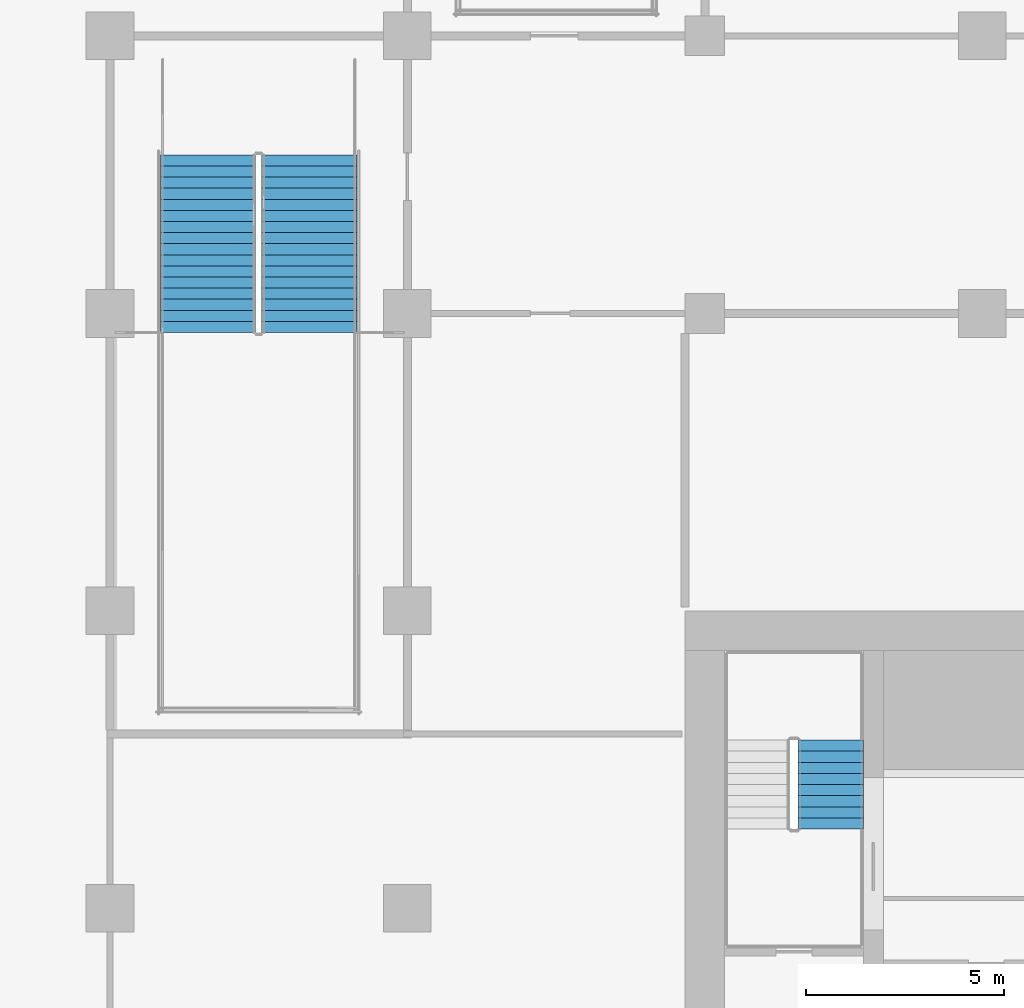
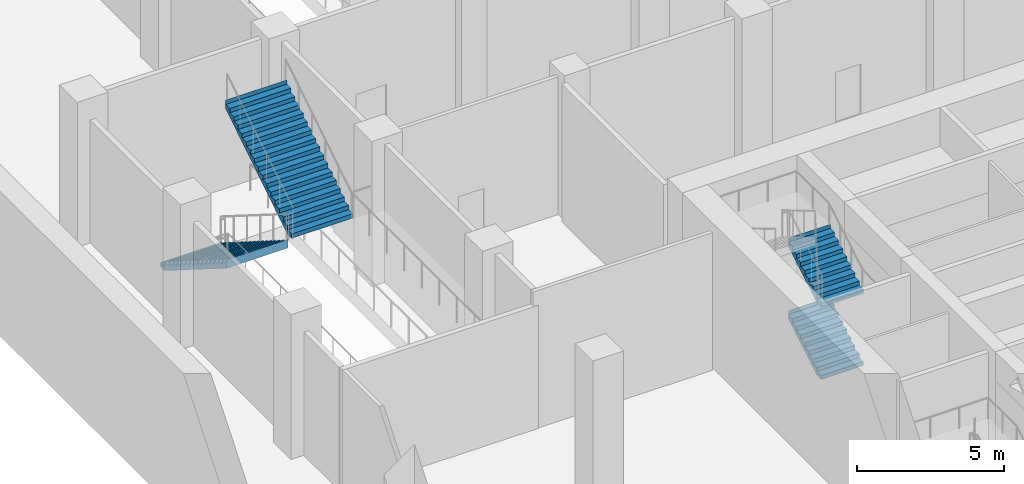
# One storey, part 22 of 45: 4 stair flights, 2 elements without a shape of their own.
"""IFC4 building model written with IfcOpenShell, lengths in metres."""

from ifc_helpers import new_model, si_unit, direction, frame, origin, place, context, subcontext, project, spatial, polyline, outline, extrude, material, type_object, element, aggregate, save


model = new_model("IFC4")

# Units and contexts
model_context = context("Model", 3, precision=1e-05, world=origin(), true_north=direction((0.0, 1.0)))
body_context = subcontext(model_context, "Body", "Model", "MODEL_VIEW")
ifc_project = project(units=[si_unit("LENGTHUNIT", "METRE"), si_unit("AREAUNIT", "SQUARE_METRE"), si_unit("VOLUMEUNIT", "CUBIC_METRE"), si_unit("PLANEANGLEUNIT", "RADIAN"), si_unit("MASSUNIT", "GRAM", prefix="KILO")], contexts=[model_context])

# Site, building, storey
site_placement = place(None, origin())
site = spatial("IfcSite", under=ifc_project, at=site_placement, CompositionType="ELEMENT")
building_placement = place(site_placement, origin())
building = spatial("IfcBuilding", under=site, at=building_placement, Name="Tamorin Gate", CompositionType="ELEMENT")
storey_placement = place(building_placement, frame((0.0, 0.0, -6.0)))
storey = spatial("IfcBuildingStorey", under=building, at=storey_placement, Name="B1", CompositionType="ELEMENT", Elevation=-6.0)

# Stair, stair flights
ifc_material_1 = material(Name="Concrete C40/50", Category="concrete")
stair_type_1 = type_object("IfcStairType", Name="Exit stair", PredefinedType="HALF_TURN_STAIR", material=ifc_material_1)
stair_1_placement = place(storey_placement, origin())
stair_1 = element("IfcStair", 1, at=stair_1_placement, inside=storey, type_object=stair_type_1, Name="B1 stair ST2", PredefinedType="HALF_TURN_STAIR")
stair_flight_type_1 = type_object("IfcStairFlightType", Name="Exit stair flight", PredefinedType="STRAIGHT", material=ifc_material_1)
stair_flight_1_placement = place(storey_placement, frame((33.675048828125, 77.0, 0.0), z_axis=(0.0, 0.0, 1.0), x_axis=(0.0, 1.0, 0.0)))
stair_flight_1 = element("IfcStairFlight", 2, at=stair_flight_1_placement, type_object=stair_flight_type_1, Name="ST2 flight 1", NumberOfRisers=9, NumberOfTreads=8, PredefinedType="STRAIGHT", RiserHeight=0.166666667, TreadLength=0.28, context=body_context, shape_type="SweptSolid", body=[
    extrude(outline(polyline([(-0.00048828125, 0.0), (-0.00048828125, 0.001708984375), (-0.00048828125, 0.00341796875), (-0.00048828125, 0.0048828125), (-0.00048828125, 0.006591796875), (-0.00048828125, 0.00830078125), (-0.00048828125, 0.010009765625), (-0.00048828125, 0.011474609375), (-0.00048828125, 0.01318359375), (-0.00048828125, 0.014892578125), (-0.00048828125, 0.0166015625), (-0.00048828125, 0.01806640625), (-0.00048828125, 0.019775390625), (-0.00048828125, 0.021484375), (-0.00048828125, 0.023193359375), (-0.00048828125, 0.024658203125), (-0.00048828125, 0.0263671875), (-0.00048828125, 0.028076171875), (-0.00048828125, 0.02978515625), (-0.00048828125, 0.03125), (-0.00048828125, 0.032958984375), (-0.00048828125, 0.03466796875), (-0.00048828125, 0.036376953125), (-0.00048828125, 0.037841796875), (-0.00048828125, 0.03955078125), (-0.00048828125, 0.041259765625), (-0.00048828125, 0.04296875), (-0.00048828125, 0.04443359375), (-0.00048828125, 0.046142578125), (-0.00048828125, 0.0478515625), (-0.00048828125, 0.049560546875), (-0.00048828125, 0.05126953125), (-0.00048828125, 0.052734375), (-0.00048828125, 0.054443359375), (-0.00048828125, 0.05615234375), (-0.00048828125, 0.057861328125), (-0.00048828125, 0.059326171875), (-0.00048828125, 0.06103515625), (-0.00048828125, 0.062744140625), (-0.00048828125, 0.064453125), (-0.00048828125, 0.06591796875), (-0.00048828125, 0.067626953125), (-0.00048828125, 0.0693359375), (-0.00048828125, 0.071044921875), (-0.00048828125, 0.072509765625), (-0.00048828125, 0.07421875), (-0.00048828125, 0.075927734375), (-0.00048828125, 0.07763671875), (-0.00048828125, 0.0791015625), (-0.00048828125, 0.080810546875), (-0.00048828125, 0.08251953125), (-0.00048828125, 0.084228515625), (-0.00048828125, 0.085693359375), (-0.00048828125, 0.08740234375), (-0.00048828125, 0.089111328125), (-0.00048828125, 0.0908203125), (-0.00048828125, 0.092529296875), (-0.00048828125, 0.093994140625), (-0.00048828125, 0.095703125), (-0.00048828125, 0.097412109375), (-0.00048828125, 0.09912109375), (-0.00048828125, 0.1005859375), (-0.00048828125, 0.102294921875), (-0.00048828125, 0.10400390625), (-0.00048828125, 0.105712890625), (-0.00048828125, 0.107177734375), (-0.00048828125, 0.10888671875), (-0.00048828125, 0.110595703125), (-0.00048828125, 0.1123046875), (-0.00048828125, 0.11376953125), (-0.00048828125, 0.115478515625), (-0.00048828125, 0.1171875), (-0.00048828125, 0.118896484375), (-0.00048828125, 0.120361328125), (-0.00048828125, 0.1220703125), (-0.00048828125, 0.123779296875), (-0.00048828125, 0.12548828125), (-0.00048828125, 0.126953125), (-0.00048828125, 0.128662109375), (-0.00048828125, 0.13037109375), (-0.00048828125, 0.132080078125), (-0.00048828125, 0.133544921875), (-0.00048828125, 0.13525390625), (-0.00048828125, 0.136962890625), (-0.00048828125, 0.138671875), (-0.00048828125, 0.140380859375), (-0.00048828125, 0.141845703125), (-0.00048828125, 0.1435546875), (-0.00048828125, 0.145263671875), (-0.00048828125, 0.14697265625), (-0.00048828125, 0.1484375), (-0.00048828125, 0.150146484375), (-0.00048828125, 0.15185546875), (-0.00048828125, 0.153564453125), (-0.00048828125, 0.155029296875), (-0.00048828125, 0.15673828125), (-0.00048828125, 0.158447265625), (-0.00048828125, 0.16015625), (-0.00048828125, 0.16162109375), (-0.00048828125, 0.163330078125), (-0.00048828125, 0.1650390625), (-0.00048828125, 0.166748046875), (0.280029296875, 0.166748046875), (0.280029296875, 0.333251953125), (0.56005859375, 0.333251953125), (0.56005859375, 0.5), (0.840087890625, 0.5), (0.840087890625, 0.666748046875), (1.1201171875, 0.666748046875), (1.1201171875, 0.833251953125), (1.39990234375, 0.833251953125), (1.39990234375, 1.0), (1.679931640625, 1.0), (1.679931640625, 1.166748046875), (1.9599609375, 1.166748046875), (1.9599609375, 1.333251953125), (2.239990234375, 1.333251953125), (2.239990234375, 1.5), (2.240478515625, 1.5), (2.240478515625, 1.49658203125), (2.240478515625, 1.4931640625), (2.240478515625, 1.48974609375), (2.240478515625, 1.486572265625), (2.240478515625, 1.483154296875), (2.240478515625, 1.479736328125), (2.240478515625, 1.476318359375), (2.240478515625, 1.472900390625), (2.240478515625, 1.469482421875), (2.240478515625, 1.46630859375), (2.240478515625, 1.462890625), (2.240478515625, 1.45947265625), (2.240478515625, 1.4560546875), (2.240478515625, 1.45263671875), (2.240478515625, 1.44921875), (2.240478515625, 1.446044921875), (2.240478515625, 1.442626953125), (2.240478515625, 1.439208984375), (2.240478515625, 1.435791015625), (2.240478515625, 1.432373046875), (2.240478515625, 1.428955078125), (2.240478515625, 1.42578125), (2.240478515625, 1.42236328125), (2.240478515625, 1.4189453125), (2.240478515625, 1.41552734375), (2.240478515625, 1.412109375), (2.240478515625, 1.40869140625), (2.240478515625, 1.405517578125), (2.240478515625, 1.402099609375), (2.240478515625, 1.398681640625), (2.240478515625, 1.395263671875), (2.240478515625, 1.391845703125), (2.240478515625, 1.388427734375), (2.240478515625, 1.38525390625), (2.240478515625, 1.3818359375), (2.240478515625, 1.37841796875), (2.240478515625, 1.375), (2.240478515625, 1.37158203125), (2.240478515625, 1.3681640625), (2.240478515625, 1.364990234375), (2.240478515625, 1.361572265625), (2.240478515625, 1.358154296875), (2.240478515625, 1.354736328125), (2.240478515625, 1.351318359375), (2.240478515625, 1.347900390625), (2.240478515625, 1.3447265625), (2.240478515625, 1.34130859375), (2.240478515625, 1.337890625), (2.240478515625, 1.33447265625), (2.240478515625, 1.3310546875), (2.240478515625, 1.32763671875), (2.240478515625, 1.324462890625), (2.240478515625, 1.321044921875), (2.240478515625, 1.317626953125), (2.240478515625, 1.314208984375), (2.240478515625, 1.310791015625), (2.240478515625, 1.307373046875), (2.240478515625, 1.30419921875), (2.240478515625, 1.30078125), (2.240478515625, 1.29736328125), (2.240478515625, 1.2939453125), (2.240478515625, 1.29052734375), (2.240478515625, 1.287109375), (2.240478515625, 1.283935546875), (2.240478515625, 1.280517578125), (2.240478515625, 1.277099609375), (2.240478515625, 1.273681640625), (2.240478515625, 1.270263671875), (2.240478515625, 1.266845703125), (2.240478515625, 1.263671875), (2.240478515625, 1.26025390625), (2.240478515625, 1.2568359375), (2.240478515625, 1.25341796875), (2.240478515625, 1.25), (2.240478515625, 1.24658203125), (2.240478515625, 1.243408203125), (2.240478515625, 1.239990234375), (2.240478515625, 1.236572265625), (2.240478515625, 1.233154296875), (2.240478515625, 1.229736328125), (2.240478515625, 1.226318359375), (2.240478515625, 1.22314453125), (2.240478515625, 1.2197265625), (2.240478515625, 1.21630859375), (2.240478515625, 1.212890625), (2.240478515625, 1.20947265625), (2.240478515625, 1.2060546875), (2.240478515625, 1.202880859375), (2.240478515625, 1.199462890625), (2.240478515625, 1.196044921875), (2.240478515625, 1.192626953125), (2.240478515625, 1.189208984375), (2.240478515625, 1.185791015625), (2.240478515625, 1.1826171875), (2.240478515625, 1.17919921875), (2.240478515625, 1.17578125), (2.240478515625, 1.17236328125), (2.240478515625, 1.1689453125), (2.240478515625, 1.16552734375), (2.240478515625, 1.162353515625), (2.240478515625, 1.158935546875), (2.239990234375, 1.158935546875), (0.29296875, 0.0), (-0.00048828125, 0.0)])), frame((0.0, 0.824951171875, 0.0), z_axis=(0.0, -1.0, 0.0), x_axis=(1.0, 0.0, 0.0)), (0.0, 0.0, 1.0), 1.64990234375),
])
stair_flight_2_placement = place(storey_placement, frame((33.675048828125, 77.0, 3.0), z_axis=(0.0, 0.0, 1.0), x_axis=(0.0, 1.0, 0.0)))
stair_flight_2 = element("IfcStairFlight", 3, at=stair_flight_2_placement, type_object=stair_flight_type_1, Name="ST2 flight 3", NumberOfRisers=9, NumberOfTreads=8, PredefinedType="STRAIGHT", RiserHeight=0.166666667, TreadLength=0.28, context=body_context, shape_type="SweptSolid", body=[
    extrude(outline(polyline([(-0.00048828125, 0.0), (-0.00048828125, 0.001708984375), (-0.00048828125, 0.00341796875), (-0.00048828125, 0.0048828125), (-0.00048828125, 0.006591796875), (-0.00048828125, 0.00830078125), (-0.00048828125, 0.010009765625), (-0.00048828125, 0.011474609375), (-0.00048828125, 0.01318359375), (-0.00048828125, 0.014892578125), (-0.00048828125, 0.0166015625), (-0.00048828125, 0.01806640625), (-0.00048828125, 0.019775390625), (-0.00048828125, 0.021484375), (-0.00048828125, 0.023193359375), (-0.00048828125, 0.024658203125), (-0.00048828125, 0.0263671875), (-0.00048828125, 0.028076171875), (-0.00048828125, 0.02978515625), (-0.00048828125, 0.03125), (-0.00048828125, 0.032958984375), (-0.00048828125, 0.03466796875), (-0.00048828125, 0.036376953125), (-0.00048828125, 0.037841796875), (-0.00048828125, 0.03955078125), (-0.00048828125, 0.041259765625), (-0.00048828125, 0.04296875), (-0.00048828125, 0.04443359375), (-0.00048828125, 0.046142578125), (-0.00048828125, 0.0478515625), (-0.00048828125, 0.049560546875), (-0.00048828125, 0.05126953125), (-0.00048828125, 0.052734375), (-0.00048828125, 0.054443359375), (-0.00048828125, 0.05615234375), (-0.00048828125, 0.057861328125), (-0.00048828125, 0.059326171875), (-0.00048828125, 0.06103515625), (-0.00048828125, 0.062744140625), (-0.00048828125, 0.064453125), (-0.00048828125, 0.06591796875), (-0.00048828125, 0.067626953125), (-0.00048828125, 0.0693359375), (-0.00048828125, 0.071044921875), (-0.00048828125, 0.072509765625), (-0.00048828125, 0.07421875), (-0.00048828125, 0.075927734375), (-0.00048828125, 0.07763671875), (-0.00048828125, 0.0791015625), (-0.00048828125, 0.080810546875), (-0.00048828125, 0.08251953125), (-0.00048828125, 0.084228515625), (-0.00048828125, 0.085693359375), (-0.00048828125, 0.08740234375), (-0.00048828125, 0.089111328125), (-0.00048828125, 0.0908203125), (-0.00048828125, 0.092529296875), (-0.00048828125, 0.093994140625), (-0.00048828125, 0.095703125), (-0.00048828125, 0.097412109375), (-0.00048828125, 0.09912109375), (-0.00048828125, 0.1005859375), (-0.00048828125, 0.102294921875), (-0.00048828125, 0.10400390625), (-0.00048828125, 0.105712890625), (-0.00048828125, 0.107177734375), (-0.00048828125, 0.10888671875), (-0.00048828125, 0.110595703125), (-0.00048828125, 0.1123046875), (-0.00048828125, 0.11376953125), (-0.00048828125, 0.115478515625), (-0.00048828125, 0.1171875), (-0.00048828125, 0.118896484375), (-0.00048828125, 0.120361328125), (-0.00048828125, 0.1220703125), (-0.00048828125, 0.123779296875), (-0.00048828125, 0.12548828125), (-0.00048828125, 0.126953125), (-0.00048828125, 0.128662109375), (-0.00048828125, 0.13037109375), (-0.00048828125, 0.132080078125), (-0.00048828125, 0.133544921875), (-0.00048828125, 0.13525390625), (-0.00048828125, 0.136962890625), (-0.00048828125, 0.138671875), (-0.00048828125, 0.140380859375), (-0.00048828125, 0.141845703125), (-0.00048828125, 0.1435546875), (-0.00048828125, 0.145263671875), (-0.00048828125, 0.14697265625), (-0.00048828125, 0.1484375), (-0.00048828125, 0.150146484375), (-0.00048828125, 0.15185546875), (-0.00048828125, 0.153564453125), (-0.00048828125, 0.155029296875), (-0.00048828125, 0.15673828125), (-0.00048828125, 0.158447265625), (-0.00048828125, 0.16015625), (-0.00048828125, 0.16162109375), (-0.00048828125, 0.163330078125), (-0.00048828125, 0.1650390625), (-0.00048828125, 0.166748046875), (0.280029296875, 0.166748046875), (0.280029296875, 0.333251953125), (0.56005859375, 0.333251953125), (0.56005859375, 0.5), (0.840087890625, 0.5), (0.840087890625, 0.666748046875), (1.1201171875, 0.666748046875), (1.1201171875, 0.833251953125), (1.39990234375, 0.833251953125), (1.39990234375, 1.0), (1.679931640625, 1.0), (1.679931640625, 1.166748046875), (1.9599609375, 1.166748046875), (1.9599609375, 1.333251953125), (2.239990234375, 1.333251953125), (2.239990234375, 1.5), (2.240478515625, 1.5), (2.240478515625, 1.49658203125), (2.240478515625, 1.4931640625), (2.240478515625, 1.48974609375), (2.240478515625, 1.486572265625), (2.240478515625, 1.483154296875), (2.240478515625, 1.479736328125), (2.240478515625, 1.476318359375), (2.240478515625, 1.472900390625), (2.240478515625, 1.469482421875), (2.240478515625, 1.46630859375), (2.240478515625, 1.462890625), (2.240478515625, 1.45947265625), (2.240478515625, 1.4560546875), (2.240478515625, 1.45263671875), (2.240478515625, 1.44921875), (2.240478515625, 1.446044921875), (2.240478515625, 1.442626953125), (2.240478515625, 1.439208984375), (2.240478515625, 1.435791015625), (2.240478515625, 1.432373046875), (2.240478515625, 1.428955078125), (2.240478515625, 1.42578125), (2.240478515625, 1.42236328125), (2.240478515625, 1.4189453125), (2.240478515625, 1.41552734375), (2.240478515625, 1.412109375), (2.240478515625, 1.40869140625), (2.240478515625, 1.405517578125), (2.240478515625, 1.402099609375), (2.240478515625, 1.398681640625), (2.240478515625, 1.395263671875), (2.240478515625, 1.391845703125), (2.240478515625, 1.388427734375), (2.240478515625, 1.38525390625), (2.240478515625, 1.3818359375), (2.240478515625, 1.37841796875), (2.240478515625, 1.375), (2.240478515625, 1.37158203125), (2.240478515625, 1.3681640625), (2.240478515625, 1.364990234375), (2.240478515625, 1.361572265625), (2.240478515625, 1.358154296875), (2.240478515625, 1.354736328125), (2.240478515625, 1.351318359375), (2.240478515625, 1.347900390625), (2.240478515625, 1.3447265625), (2.240478515625, 1.34130859375), (2.240478515625, 1.337890625), (2.240478515625, 1.33447265625), (2.240478515625, 1.3310546875), (2.240478515625, 1.32763671875), (2.240478515625, 1.324462890625), (2.240478515625, 1.321044921875), (2.240478515625, 1.317626953125), (2.240478515625, 1.314208984375), (2.240478515625, 1.310791015625), (2.240478515625, 1.307373046875), (2.240478515625, 1.30419921875), (2.240478515625, 1.30078125), (2.240478515625, 1.29736328125), (2.240478515625, 1.2939453125), (2.240478515625, 1.29052734375), (2.240478515625, 1.287109375), (2.240478515625, 1.283935546875), (2.240478515625, 1.280517578125), (2.240478515625, 1.277099609375), (2.240478515625, 1.273681640625), (2.240478515625, 1.270263671875), (2.240478515625, 1.266845703125), (2.240478515625, 1.263671875), (2.240478515625, 1.26025390625), (2.240478515625, 1.2568359375), (2.240478515625, 1.25341796875), (2.240478515625, 1.25), (2.240478515625, 1.24658203125), (2.240478515625, 1.243408203125), (2.240478515625, 1.239990234375), (2.240478515625, 1.236572265625), (2.240478515625, 1.233154296875), (2.240478515625, 1.229736328125), (2.240478515625, 1.226318359375), (2.240478515625, 1.22314453125), (2.240478515625, 1.2197265625), (2.240478515625, 1.21630859375), (2.240478515625, 1.212890625), (2.240478515625, 1.20947265625), (2.240478515625, 1.2060546875), (2.240478515625, 1.202880859375), (2.240478515625, 1.199462890625), (2.240478515625, 1.196044921875), (2.240478515625, 1.192626953125), (2.240478515625, 1.189208984375), (2.240478515625, 1.185791015625), (2.240478515625, 1.1826171875), (2.240478515625, 1.17919921875), (2.240478515625, 1.17578125), (2.240478515625, 1.17236328125), (2.240478515625, 1.1689453125), (2.240478515625, 1.16552734375), (2.240478515625, 1.162353515625), (2.240478515625, 1.158935546875), (2.239990234375, 1.158935546875), (0.29296875, 0.0), (-0.00048828125, 0.0)])), frame((0.0, 0.824951171875, 0.0), z_axis=(0.0, -1.0, 0.0), x_axis=(1.0, 0.0, 0.0)), (0.0, 0.0, 1.0), 1.64990234375),
])
aggregate(stair_1, [stair_flight_1, stair_flight_2])

ifc_material_2 = material(Name="Reinforced concrete C32/40", Category="concrete")
stair_type_2 = type_object("IfcStairType", Name="Basement stair SB", PredefinedType="HALF_TURN_STAIR", material=ifc_material_2)
stair_2_placement = place(storey_placement, origin())
stair_2 = element("IfcStair", 4, at=stair_2_placement, inside=storey, type_object=stair_type_2, Name="B1 Basement stair SB1", PredefinedType="HALF_TURN_STAIR")
stair_flight_type_2 = type_object("IfcStairFlightType", Name="Stair flight 2400", PredefinedType="STRAIGHT", material=ifc_material_2)
stair_flight_3_placement = place(storey_placement, frame((17.97509765625, 94.0, 0.0), z_axis=(0.0, 0.0, 1.0), x_axis=(0.0, -1.0, 0.0)))
stair_flight_3 = element("IfcStairFlight", 5, at=stair_flight_3_placement, type_object=stair_flight_type_2, Name="SB1 flight 1", NumberOfRisers=17, NumberOfTreads=16, PredefinedType="STRAIGHT", RiserHeight=0.176470588, TreadLength=0.28, context=body_context, shape_type="SweptSolid", body=[
    extrude(outline(polyline([(-0.00048828125, 0.0), (-0.00048828125, 0.001708984375), (-0.00048828125, 0.00341796875), (-0.00048828125, 0.005126953125), (-0.00048828125, 0.007080078125), (-0.00048828125, 0.0087890625), (-0.00048828125, 0.010498046875), (-0.00048828125, 0.01220703125), (-0.00048828125, 0.013916015625), (-0.00048828125, 0.015625), (-0.00048828125, 0.017578125), (-0.00048828125, 0.019287109375), (-0.00048828125, 0.02099609375), (-0.00048828125, 0.022705078125), (-0.00048828125, 0.0244140625), (-0.00048828125, 0.026123046875), (-0.00048828125, 0.028076171875), (-0.00048828125, 0.02978515625), (-0.00048828125, 0.031494140625), (-0.00048828125, 0.033203125), (-0.00048828125, 0.034912109375), (-0.00048828125, 0.03662109375), (-0.00048828125, 0.038330078125), (-0.00048828125, 0.040283203125), (-0.00048828125, 0.0419921875), (-0.00048828125, 0.043701171875), (-0.00048828125, 0.04541015625), (-0.00048828125, 0.047119140625), (-0.00048828125, 0.048828125), (-0.00048828125, 0.05078125), (-0.00048828125, 0.052490234375), (-0.00048828125, 0.05419921875), (-0.00048828125, 0.055908203125), (-0.00048828125, 0.0576171875), (-0.00048828125, 0.059326171875), (-0.00048828125, 0.06103515625), (-0.00048828125, 0.06298828125), (-0.00048828125, 0.064697265625), (-0.00048828125, 0.06640625), (-0.00048828125, 0.068115234375), (-0.00048828125, 0.06982421875), (-0.00048828125, 0.071533203125), (-0.00048828125, 0.073486328125), (-0.00048828125, 0.0751953125), (-0.00048828125, 0.076904296875), (-0.00048828125, 0.07861328125), (-0.00048828125, 0.080322265625), (-0.00048828125, 0.08203125), (-0.00048828125, 0.083984375), (-0.00048828125, 0.085693359375), (-0.00048828125, 0.08740234375), (-0.00048828125, 0.089111328125), (-0.00048828125, 0.0908203125), (-0.00048828125, 0.092529296875), (-0.00048828125, 0.09423828125), (-0.00048828125, 0.09619140625), (-0.00048828125, 0.097900390625), (-0.00048828125, 0.099609375), (-0.00048828125, 0.101318359375), (-0.00048828125, 0.10302734375), (-0.00048828125, 0.104736328125), (-0.00048828125, 0.106689453125), (-0.00048828125, 0.1083984375), (-0.00048828125, 0.110107421875), (-0.00048828125, 0.11181640625), (-0.00048828125, 0.113525390625), (-0.00048828125, 0.115234375), (-0.00048828125, 0.116943359375), (-0.00048828125, 0.118896484375), (-0.00048828125, 0.12060546875), (-0.00048828125, 0.122314453125), (-0.00048828125, 0.1240234375), (-0.00048828125, 0.125732421875), (-0.00048828125, 0.12744140625), (-0.00048828125, 0.12939453125), (-0.00048828125, 0.131103515625), (-0.00048828125, 0.1328125), (-0.00048828125, 0.134521484375), (-0.00048828125, 0.13623046875), (-0.00048828125, 0.137939453125), (-0.00048828125, 0.139892578125), (-0.00048828125, 0.1416015625), (-0.00048828125, 0.143310546875), (-0.00048828125, 0.14501953125), (-0.00048828125, 0.146728515625), (-0.00048828125, 0.1484375), (-0.00048828125, 0.150146484375), (-0.00048828125, 0.152099609375), (-0.00048828125, 0.15380859375), (-0.00048828125, 0.155517578125), (-0.00048828125, 0.1572265625), (-0.00048828125, 0.158935546875), (-0.00048828125, 0.16064453125), (-0.00048828125, 0.16259765625), (-0.00048828125, 0.164306640625), (-0.00048828125, 0.166015625), (-0.00048828125, 0.167724609375), (-0.00048828125, 0.16943359375), (-0.00048828125, 0.171142578125), (-0.00048828125, 0.173095703125), (-0.00048828125, 0.1748046875), (-0.00048828125, 0.176513671875), (0.280029296875, 0.176513671875), (0.280029296875, 0.35302734375), (0.56005859375, 0.35302734375), (0.56005859375, 0.529296875), (0.840087890625, 0.529296875), (0.840087890625, 0.705810546875), (1.1201171875, 0.705810546875), (1.1201171875, 0.88232421875), (1.39990234375, 0.88232421875), (1.39990234375, 1.058837890625), (1.679931640625, 1.058837890625), (1.679931640625, 1.2353515625), (1.9599609375, 1.2353515625), (1.9599609375, 1.411865234375), (2.239990234375, 1.411865234375), (2.239990234375, 1.588134765625), (2.52001953125, 1.588134765625), (2.52001953125, 1.7646484375), (2.800048828125, 1.7646484375), (2.800048828125, 1.941162109375), (3.080078125, 1.941162109375), (3.080078125, 2.11767578125), (3.360107421875, 2.11767578125), (3.360107421875, 2.294189453125), (3.639892578125, 2.294189453125), (3.639892578125, 2.470703125), (3.919921875, 2.470703125), (3.919921875, 2.64697265625), (4.199951171875, 2.64697265625), (4.199951171875, 2.823486328125), (4.47998046875, 2.823486328125), (4.47998046875, 3.0), (4.48046875, 3.0), (4.48046875, 2.99658203125), (4.48046875, 2.992919921875), (4.48046875, 2.989501953125), (4.48046875, 2.986083984375), (4.48046875, 2.982421875), (4.48046875, 2.97900390625), (4.48046875, 2.9755859375), (4.48046875, 2.971923828125), (4.48046875, 2.968505859375), (4.48046875, 2.965087890625), (4.48046875, 2.96142578125), (4.48046875, 2.9580078125), (4.48046875, 2.95458984375), (4.48046875, 2.950927734375), (4.48046875, 2.947509765625), (4.48046875, 2.944091796875), (4.48046875, 2.9404296875), (4.48046875, 2.93701171875), (4.48046875, 2.933349609375), (4.48046875, 2.929931640625), (4.48046875, 2.926513671875), (4.48046875, 2.9228515625), (4.48046875, 2.91943359375), (4.48046875, 2.916015625), (4.48046875, 2.912353515625), (4.48046875, 2.908935546875), (4.48046875, 2.905517578125), (4.48046875, 2.90185546875), (4.48046875, 2.8984375), (4.48046875, 2.89501953125), (4.48046875, 2.891357421875), (4.48046875, 2.887939453125), (4.48046875, 2.884521484375), (4.48046875, 2.880859375), (4.48046875, 2.87744140625), (4.48046875, 2.8740234375), (4.48046875, 2.870361328125), (4.48046875, 2.866943359375), (4.48046875, 2.863525390625), (4.48046875, 2.85986328125), (4.48046875, 2.8564453125), (4.48046875, 2.85302734375), (4.48046875, 2.849365234375), (4.48046875, 2.845947265625), (4.48046875, 2.842529296875), (4.48046875, 2.8388671875), (4.48046875, 2.83544921875), (4.48046875, 2.83203125), (4.48046875, 2.828369140625), (4.48046875, 2.824951171875), (4.48046875, 2.821533203125), (4.48046875, 2.81787109375), (4.48046875, 2.814453125), (4.48046875, 2.81103515625), (4.48046875, 2.807373046875), (4.48046875, 2.803955078125), (4.48046875, 2.80029296875), (4.48046875, 2.796875), (4.48046875, 2.79345703125), (4.48046875, 2.789794921875), (4.48046875, 2.786376953125), (4.48046875, 2.782958984375), (4.48046875, 2.779296875), (4.48046875, 2.77587890625), (4.48046875, 2.7724609375), (4.48046875, 2.768798828125), (4.48046875, 2.765380859375), (4.48046875, 2.761962890625), (4.48046875, 2.75830078125), (4.48046875, 2.7548828125), (4.48046875, 2.75146484375), (4.48046875, 2.747802734375), (4.48046875, 2.744384765625), (4.48046875, 2.740966796875), (4.48046875, 2.7373046875), (4.48046875, 2.73388671875), (4.48046875, 2.73046875), (4.48046875, 2.726806640625), (4.48046875, 2.723388671875), (4.48046875, 2.719970703125), (4.48046875, 2.71630859375), (4.48046875, 2.712890625), (4.48046875, 2.70947265625), (4.48046875, 2.705810546875), (4.48046875, 2.702392578125), (4.48046875, 2.698974609375), (4.48046875, 2.6953125), (4.48046875, 2.69189453125), (4.48046875, 2.6884765625), (4.48046875, 2.684814453125), (4.48046875, 2.681396484375), (4.48046875, 2.677734375), (4.48046875, 2.67431640625), (4.48046875, 2.6708984375), (4.48046875, 2.667236328125), (4.48046875, 2.663818359375), (4.48046875, 2.660400390625), (4.48046875, 2.65673828125), (4.48046875, 2.6533203125), (4.48046875, 2.64990234375), (4.48046875, 2.646240234375), (4.47998046875, 2.646240234375), (0.28125, 0.0), (-0.00048828125, 0.0)])), frame((0.0, 1.199951171875, 0.0), z_axis=(0.0, -1.0, 0.0), x_axis=(1.0, 0.0, 0.0)), (0.0, 0.0, 1.0), 2.39990234375),
])
stair_flight_4_placement = place(storey_placement, frame((20.52490234375, 89.52001953125, 3.0), z_axis=(0.0, 0.0, 1.0), x_axis=(0.0, 1.0, 0.0)))
stair_flight_4 = element("IfcStairFlight", 6, at=stair_flight_4_placement, type_object=stair_flight_type_2, Name="SB1 flight 2", NumberOfRisers=17, NumberOfTreads=16, PredefinedType="STRAIGHT", RiserHeight=0.176470588, TreadLength=0.28, context=body_context, shape_type="SweptSolid", body=[
    extrude(outline(polyline([(-0.00048828125, 0.0), (-0.00048828125, 0.001708984375), (-0.00048828125, 0.00341796875), (-0.00048828125, 0.005126953125), (-0.00048828125, 0.007080078125), (-0.00048828125, 0.0087890625), (-0.00048828125, 0.010498046875), (-0.00048828125, 0.01220703125), (-0.00048828125, 0.013916015625), (-0.00048828125, 0.015625), (-0.00048828125, 0.017578125), (-0.00048828125, 0.019287109375), (-0.00048828125, 0.02099609375), (-0.00048828125, 0.022705078125), (-0.00048828125, 0.0244140625), (-0.00048828125, 0.026123046875), (-0.00048828125, 0.028076171875), (-0.00048828125, 0.02978515625), (-0.00048828125, 0.031494140625), (-0.00048828125, 0.033203125), (-0.00048828125, 0.034912109375), (-0.00048828125, 0.03662109375), (-0.00048828125, 0.038330078125), (-0.00048828125, 0.040283203125), (-0.00048828125, 0.0419921875), (-0.00048828125, 0.043701171875), (-0.00048828125, 0.04541015625), (-0.00048828125, 0.047119140625), (-0.00048828125, 0.048828125), (-0.00048828125, 0.05078125), (-0.00048828125, 0.052490234375), (-0.00048828125, 0.05419921875), (-0.00048828125, 0.055908203125), (-0.00048828125, 0.0576171875), (-0.00048828125, 0.059326171875), (-0.00048828125, 0.06103515625), (-0.00048828125, 0.06298828125), (-0.00048828125, 0.064697265625), (-0.00048828125, 0.06640625), (-0.00048828125, 0.068115234375), (-0.00048828125, 0.06982421875), (-0.00048828125, 0.071533203125), (-0.00048828125, 0.073486328125), (-0.00048828125, 0.0751953125), (-0.00048828125, 0.076904296875), (-0.00048828125, 0.07861328125), (-0.00048828125, 0.080322265625), (-0.00048828125, 0.08203125), (-0.00048828125, 0.083984375), (-0.00048828125, 0.085693359375), (-0.00048828125, 0.08740234375), (-0.00048828125, 0.089111328125), (-0.00048828125, 0.0908203125), (-0.00048828125, 0.092529296875), (-0.00048828125, 0.09423828125), (-0.00048828125, 0.09619140625), (-0.00048828125, 0.097900390625), (-0.00048828125, 0.099609375), (-0.00048828125, 0.101318359375), (-0.00048828125, 0.10302734375), (-0.00048828125, 0.104736328125), (-0.00048828125, 0.106689453125), (-0.00048828125, 0.1083984375), (-0.00048828125, 0.110107421875), (-0.00048828125, 0.11181640625), (-0.00048828125, 0.113525390625), (-0.00048828125, 0.115234375), (-0.00048828125, 0.116943359375), (-0.00048828125, 0.118896484375), (-0.00048828125, 0.12060546875), (-0.00048828125, 0.122314453125), (-0.00048828125, 0.1240234375), (-0.00048828125, 0.125732421875), (-0.00048828125, 0.12744140625), (-0.00048828125, 0.12939453125), (-0.00048828125, 0.131103515625), (-0.00048828125, 0.1328125), (-0.00048828125, 0.134521484375), (-0.00048828125, 0.13623046875), (-0.00048828125, 0.137939453125), (-0.00048828125, 0.139892578125), (-0.00048828125, 0.1416015625), (-0.00048828125, 0.143310546875), (-0.00048828125, 0.14501953125), (-0.00048828125, 0.146728515625), (-0.00048828125, 0.1484375), (-0.00048828125, 0.150146484375), (-0.00048828125, 0.152099609375), (-0.00048828125, 0.15380859375), (-0.00048828125, 0.155517578125), (-0.00048828125, 0.1572265625), (-0.00048828125, 0.158935546875), (-0.00048828125, 0.16064453125), (-0.00048828125, 0.16259765625), (-0.00048828125, 0.164306640625), (-0.00048828125, 0.166015625), (-0.00048828125, 0.167724609375), (-0.00048828125, 0.16943359375), (-0.00048828125, 0.171142578125), (-0.00048828125, 0.173095703125), (-0.00048828125, 0.1748046875), (-0.00048828125, 0.176513671875), (0.280029296875, 0.176513671875), (0.280029296875, 0.35302734375), (0.56005859375, 0.35302734375), (0.56005859375, 0.529296875), (0.840087890625, 0.529296875), (0.840087890625, 0.705810546875), (1.1201171875, 0.705810546875), (1.1201171875, 0.88232421875), (1.39990234375, 0.88232421875), (1.39990234375, 1.058837890625), (1.679931640625, 1.058837890625), (1.679931640625, 1.2353515625), (1.9599609375, 1.2353515625), (1.9599609375, 1.411865234375), (2.239990234375, 1.411865234375), (2.239990234375, 1.588134765625), (2.52001953125, 1.588134765625), (2.52001953125, 1.7646484375), (2.800048828125, 1.7646484375), (2.800048828125, 1.941162109375), (3.080078125, 1.941162109375), (3.080078125, 2.11767578125), (3.360107421875, 2.11767578125), (3.360107421875, 2.294189453125), (3.639892578125, 2.294189453125), (3.639892578125, 2.470703125), (3.919921875, 2.470703125), (3.919921875, 2.64697265625), (4.199951171875, 2.64697265625), (4.199951171875, 2.823486328125), (4.47998046875, 2.823486328125), (4.47998046875, 3.0), (4.48046875, 3.0), (4.48046875, 2.99658203125), (4.48046875, 2.992919921875), (4.48046875, 2.989501953125), (4.48046875, 2.986083984375), (4.48046875, 2.982421875), (4.48046875, 2.97900390625), (4.48046875, 2.9755859375), (4.48046875, 2.971923828125), (4.48046875, 2.968505859375), (4.48046875, 2.965087890625), (4.48046875, 2.96142578125), (4.48046875, 2.9580078125), (4.48046875, 2.95458984375), (4.48046875, 2.950927734375), (4.48046875, 2.947509765625), (4.48046875, 2.944091796875), (4.48046875, 2.9404296875), (4.48046875, 2.93701171875), (4.48046875, 2.933349609375), (4.48046875, 2.929931640625), (4.48046875, 2.926513671875), (4.48046875, 2.9228515625), (4.48046875, 2.91943359375), (4.48046875, 2.916015625), (4.48046875, 2.912353515625), (4.48046875, 2.908935546875), (4.48046875, 2.905517578125), (4.48046875, 2.90185546875), (4.48046875, 2.8984375), (4.48046875, 2.89501953125), (4.48046875, 2.891357421875), (4.48046875, 2.887939453125), (4.48046875, 2.884521484375), (4.48046875, 2.880859375), (4.48046875, 2.87744140625), (4.48046875, 2.8740234375), (4.48046875, 2.870361328125), (4.48046875, 2.866943359375), (4.48046875, 2.863525390625), (4.48046875, 2.85986328125), (4.48046875, 2.8564453125), (4.48046875, 2.85302734375), (4.48046875, 2.849365234375), (4.48046875, 2.845947265625), (4.48046875, 2.842529296875), (4.48046875, 2.8388671875), (4.48046875, 2.83544921875), (4.48046875, 2.83203125), (4.48046875, 2.828369140625), (4.48046875, 2.824951171875), (4.48046875, 2.821533203125), (4.48046875, 2.81787109375), (4.48046875, 2.814453125), (4.48046875, 2.81103515625), (4.48046875, 2.807373046875), (4.48046875, 2.803955078125), (4.48046875, 2.80029296875), (4.48046875, 2.796875), (4.48046875, 2.79345703125), (4.48046875, 2.789794921875), (4.48046875, 2.786376953125), (4.48046875, 2.782958984375), (4.48046875, 2.779296875), (4.48046875, 2.77587890625), (4.48046875, 2.7724609375), (4.48046875, 2.768798828125), (4.48046875, 2.765380859375), (4.48046875, 2.761962890625), (4.48046875, 2.75830078125), (4.48046875, 2.7548828125), (4.48046875, 2.75146484375), (4.48046875, 2.747802734375), (4.48046875, 2.744384765625), (4.48046875, 2.740966796875), (4.48046875, 2.7373046875), (4.48046875, 2.73388671875), (4.48046875, 2.73046875), (4.48046875, 2.726806640625), (4.48046875, 2.723388671875), (4.48046875, 2.719970703125), (4.48046875, 2.71630859375), (4.48046875, 2.712890625), (4.48046875, 2.70947265625), (4.48046875, 2.705810546875), (4.48046875, 2.702392578125), (4.48046875, 2.698974609375), (4.48046875, 2.6953125), (4.48046875, 2.69189453125), (4.48046875, 2.6884765625), (4.48046875, 2.684814453125), (4.48046875, 2.681396484375), (4.48046875, 2.677734375), (4.48046875, 2.67431640625), (4.48046875, 2.6708984375), (4.48046875, 2.667236328125), (4.48046875, 2.663818359375), (4.48046875, 2.660400390625), (4.48046875, 2.65673828125), (4.48046875, 2.6533203125), (4.48046875, 2.64990234375), (4.48046875, 2.646240234375), (4.47998046875, 2.646240234375), (0.28125, 0.0), (-0.00048828125, 0.0)])), frame((0.0, 1.199951171875, 0.0), z_axis=(0.0, -1.0, 0.0), x_axis=(1.0, 0.0, 0.0)), (0.0, 0.0, 1.0), 2.39990234375),
])
aggregate(stair_2, [stair_flight_3, stair_flight_4])

save(model, "model.ifc")
